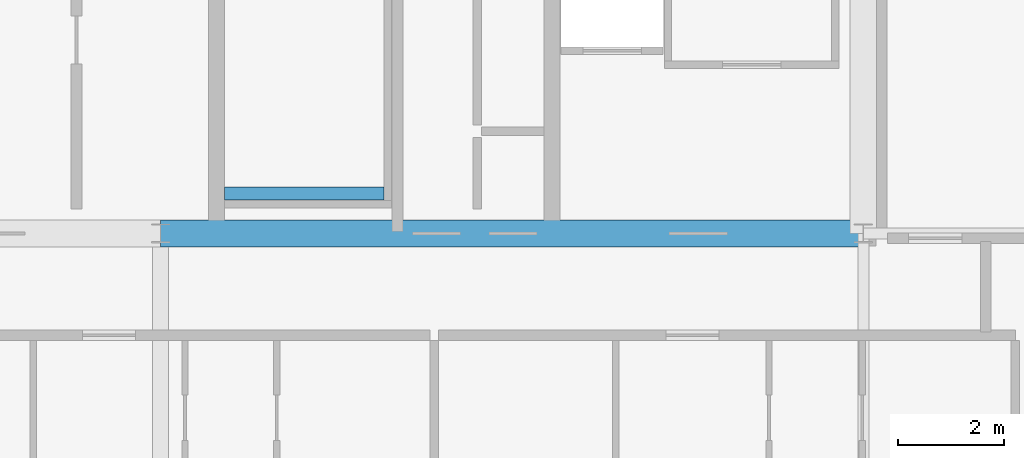
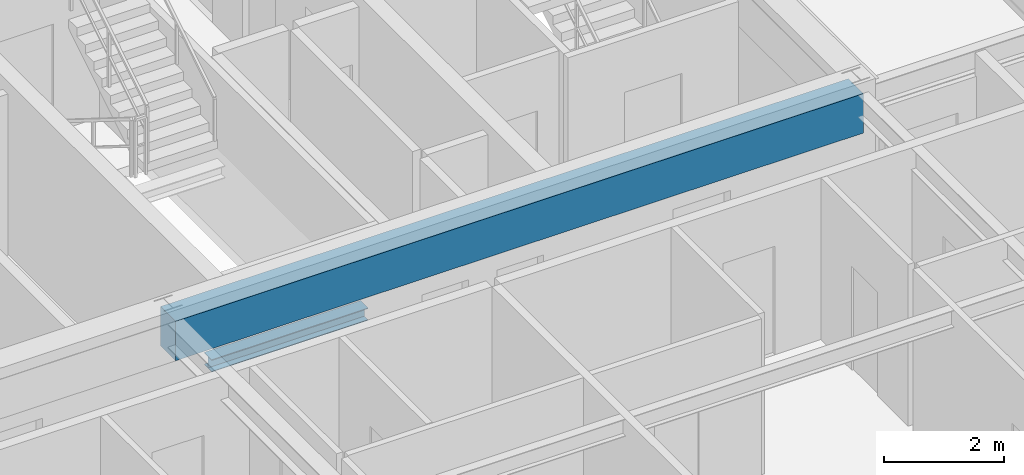
# One storey, part 10 of 35: 2 beams.
"""IFC4 building model written with IfcOpenShell, lengths in metres."""

from ifc_helpers import new_model, si_unit, direction, frame, origin, origin_2d, place, context, subcontext, project, spatial, rectangle, i_section, extrude, source, transform, mapped, material, material_profile, profile_set, type_object, element, save


model = new_model("IFC4")

# Units and contexts
model_context = context("Model", 3, precision=1e-05, world=origin(), true_north=direction((0.0, 1.0)))
body_context = subcontext(model_context, "Body", "Model", "MODEL_VIEW")
ifc_project = project(units=[si_unit("LENGTHUNIT", "METRE"), si_unit("AREAUNIT", "SQUARE_METRE"), si_unit("VOLUMEUNIT", "CUBIC_METRE"), si_unit("PLANEANGLEUNIT", "RADIAN"), si_unit("MASSUNIT", "GRAM", prefix="KILO"), si_unit("THERMODYNAMICTEMPERATUREUNIT", "KELVIN"), si_unit("POWERUNIT", "WATT")], contexts=[model_context])

# Site, building, storey
site_placement = place(None, origin())
site = spatial("IfcSite", under=ifc_project, at=site_placement, CompositionType="ELEMENT")
building_placement = place(site_placement, origin())
building = spatial("IfcBuilding", under=site, at=building_placement, Name="Yuzanri Waterfront Tower", CompositionType="ELEMENT")
storey_placement = place(building_placement, frame((0.0, 0.0, 318.199951171875)))
storey = spatial("IfcBuildingStorey", under=building, at=storey_placement, Name="L85", CompositionType="ELEMENT", Elevation=318.199951171875)

# Beams
ifc_material_1 = material(Name="Concrete C50", Category="concrete")
ifc_material_profile_1 = material_profile(ifc_material_1, rectangle(XDim=0.5, YDim=0.800048828125, at=origin_2d()), Name="RC 500x800")
ifc_profile_set_1 = profile_set([ifc_material_profile_1], Name="Concrete C50")
beam_type_1 = type_object("IfcBeamType", Name="Core Coupling Lintel Concrete C50 500x800", PredefinedType="LINTEL", material=ifc_profile_set_1)
shared_shape_1 = source(origin(), body_context, "Body", "SweptSolid", [
    extrude(rectangle(XDim=0.5, YDim=0.800048828125, at=origin_2d()), origin(), (0.0, 0.0, 1.0), 13.199951171875),
])
beam_1_placement = place(storey_placement, frame((37.0, 19.39990234375, 2.880126953125), z_axis=(1.0, 0.0, 0.0), x_axis=(0.0, 1.0, 0.0)))
element("IfcBeam", 1, at=beam_1_placement, inside=storey, type_object=beam_type_1, Name="L85 Core Tie Beam CS2", PredefinedType="LINTEL", context=body_context, shape_type="MappedRepresentation", body=[
    mapped(shared_shape_1, transform((0.0, 0.0, 0.0), scale=1.0)),
])
ifc_material_2 = material(Name="Steel Q355B", Category="steel")
ifc_material_profile_2 = material_profile(ifc_material_2, i_section(OverallWidth=0.25, OverallDepth=0.25, WebThickness=0.009033203125, FlangeThickness=0.013916015625, at=origin_2d()), Name="HW 250x250x9x14")
ifc_profile_set_2 = profile_set([ifc_material_profile_2], Name="Steel Q355B")
beam_type_2 = type_object("IfcBeamType", Name="Stair Landing Support Beam Q355B HW 250x250", PredefinedType="BEAM", material=ifc_profile_set_2)
shared_shape_2 = source(origin(), body_context, "Body", "SweptSolid", [
    extrude(i_section(OverallWidth=0.25, OverallDepth=0.25, WebThickness=0.009033203125, FlangeThickness=0.013916015625, at=origin_2d()), origin(), (0.0, 0.0, 1.0), 3.0),
])
beam_2_placement = place(storey_placement, frame((38.199951171875, 20.14990234375, 1.425048828125), z_axis=(1.0, 0.0, 0.0), x_axis=(0.0, 1.0, 0.0)))
element("IfcBeam", 2, at=beam_2_placement, inside=storey, type_object=beam_type_2, Name="L85 Stair Landing Support Beam ST-03-L85-L1-1", PredefinedType="BEAM", context=body_context, shape_type="MappedRepresentation", body=[
    mapped(shared_shape_2, transform((0.0, 0.0, 0.0), scale=1.0)),
])

save(model, "model.ifc")
